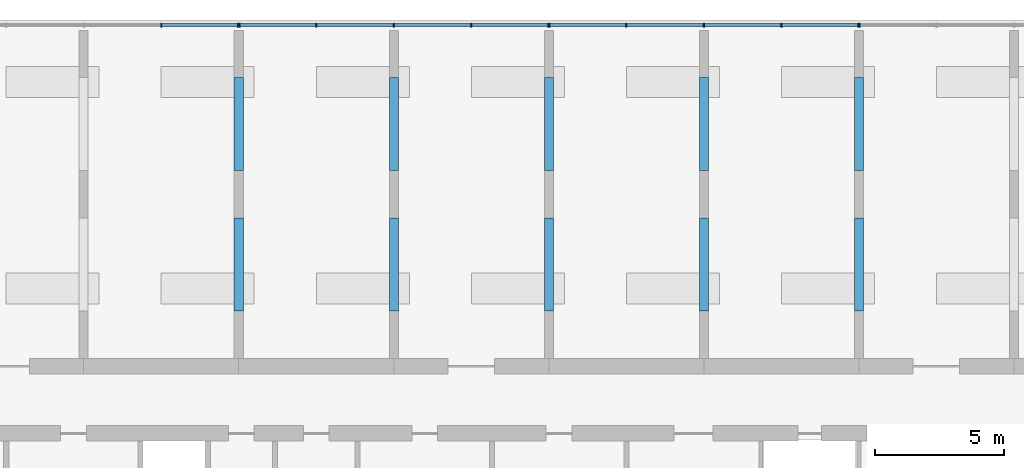
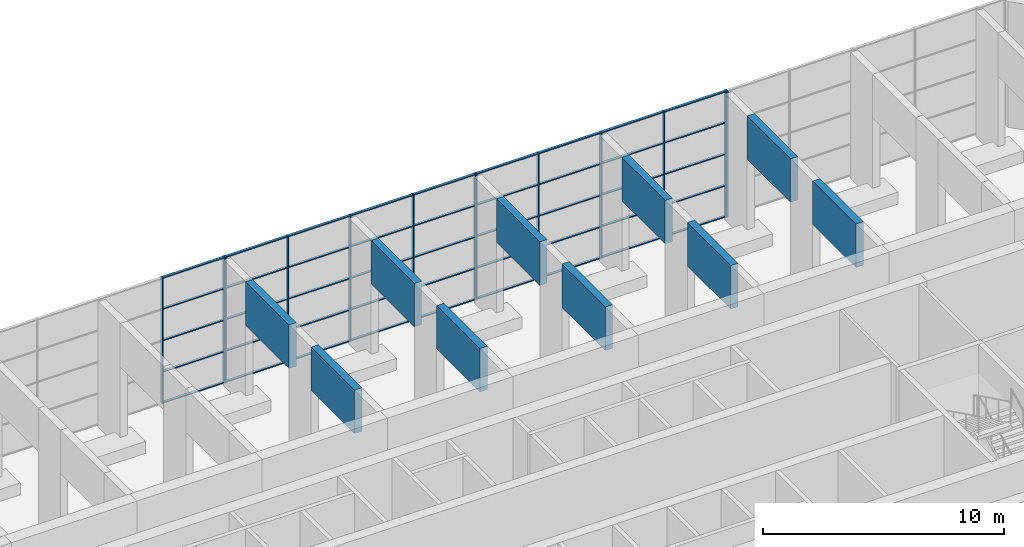
# One storey, part 2 of 16: 58 members, 10 beams, 4 elements without a shape of their own.
"""IFC4 building model written with IfcOpenShell, lengths in metres."""

from ifc_helpers import new_model, si_unit, direction, frame, origin, origin_2d, place, context, subcontext, project, spatial, rectangle, extrude, source, transform, mapped, material, layer, layer_set, material_profile, profile_set, type_object, element, aggregate, save


model = new_model("IFC4")

# Units and contexts
model_context = context("Model", 3, precision=1e-05, world=origin(), true_north=direction((0.0, 1.0)))
body_context = subcontext(model_context, "Body", "Model", "MODEL_VIEW")
ifc_project = project(units=[si_unit("LENGTHUNIT", "METRE"), si_unit("AREAUNIT", "SQUARE_METRE"), si_unit("VOLUMEUNIT", "CUBIC_METRE"), si_unit("PLANEANGLEUNIT", "RADIAN"), si_unit("MASSUNIT", "GRAM", prefix="KILO")], contexts=[model_context])

# Site, building, storey
site_placement = place(None, origin())
site = spatial("IfcSite", under=ifc_project, at=site_placement, CompositionType="ELEMENT")
building_placement = place(site_placement, origin())
building = spatial("IfcBuilding", under=site, at=building_placement, Name="Poui Terraces", CompositionType="ELEMENT")
storey_placement = place(building_placement, frame((0.0, 0.0, 115.800048828125)))
storey = spatial("IfcBuildingStorey", under=building, at=storey_placement, Name="L32", CompositionType="ELEMENT", Elevation=115.800048828125)

# Curtain wall, members
ifc_material_1 = material(Name="Clear glass", Category="glass")
ifc_layer = layer(ifc_material_1, 0.159912109375)
ifc_layer_set = layer_set([ifc_layer], Name="Clear glass")
curtain_wall_type = type_object("IfcCurtainWallType", Name="CURTAIN WALL CW-D SKY GARDEN GLAZING", PredefinedType="NOTDEFINED", material=ifc_layer_set)
curtain_wall_1_placement = place(storey_placement, origin())
curtain_wall_1 = element("IfcCurtainWall", 1, at=curtain_wall_1_placement, inside=storey, type_object=curtain_wall_type, Name="CW-D SKY GARDEN GLAZING", PredefinedType="NOTDEFINED")
ifc_material_2 = material(Name="Aluminium frame", Category="aluminium")
ifc_material_profile_1 = material_profile(ifc_material_2, rectangle(XDim=0.159912109375, YDim=0.050048828125, at=origin_2d()), Name="CW-D MULLION 50X160")
ifc_profile_set_1 = profile_set([ifc_material_profile_1], Name="Aluminium frame")
member_type_1 = type_object("IfcMemberType", Name="CW-D MULLION 50X160", PredefinedType="MULLION", material=ifc_profile_set_1)
member_1_placement = place(storey_placement, frame((47.97509765625, 43.60009765625, 0.0), z_axis=(0.0, 0.0, 1.0), x_axis=(0.0, -1.0, 0.0)))
member_1 = element("IfcMember", 2, at=member_1_placement, type_object=member_type_1, Name="CW-D mullion 1", PredefinedType="MULLION", context=body_context, shape_type="SweptSolid", body=[
    extrude(rectangle(XDim=0.159912109375, YDim=0.050048828125, at=origin_2d()), origin(), (0.0, 0.0, 1.0), 6.369873046875),
])
member_2_placement = place(storey_placement, frame((45.0, 43.60009765625, 0.0), z_axis=(0.0, 0.0, 1.0), x_axis=(0.0, -1.0, 0.0)))
member_2 = element("IfcMember", 3, at=member_2_placement, type_object=member_type_1, Name="CW-D mullion 2", PredefinedType="MULLION", context=body_context, shape_type="SweptSolid", body=[
    extrude(rectangle(XDim=0.159912109375, YDim=0.050048828125, at=origin_2d()), origin(), (0.0, 0.0, 1.0), 6.369873046875),
])

curtain_wall_2_placement = place(storey_placement, origin())
curtain_wall_2 = element("IfcCurtainWall", 4, at=curtain_wall_2_placement, inside=storey, type_object=curtain_wall_type, Name="CW-D SKY GARDEN GLAZING", PredefinedType="NOTDEFINED")
member_3_placement = place(storey_placement, frame((59.97509765625, 43.60009765625, 0.0), z_axis=(0.0, 0.0, 1.0), x_axis=(0.0, -1.0, 0.0)))
member_3 = element("IfcMember", 5, at=member_3_placement, type_object=member_type_1, Name="CW-D mullion 1", PredefinedType="MULLION", context=body_context, shape_type="SweptSolid", body=[
    extrude(rectangle(XDim=0.159912109375, YDim=0.050048828125, at=origin_2d()), origin(), (0.0, 0.0, 1.0), 6.369873046875),
])
member_4_placement = place(storey_placement, frame((57.0, 43.60009765625, 0.0), z_axis=(0.0, 0.0, 1.0), x_axis=(0.0, -1.0, 0.0)))
member_4 = element("IfcMember", 6, at=member_4_placement, type_object=member_type_1, Name="CW-D mullion 2", PredefinedType="MULLION", context=body_context, shape_type="SweptSolid", body=[
    extrude(rectangle(XDim=0.159912109375, YDim=0.050048828125, at=origin_2d()), origin(), (0.0, 0.0, 1.0), 6.369873046875),
])
member_5_placement = place(storey_placement, frame((54.0, 43.60009765625, 0.0), z_axis=(0.0, 0.0, 1.0), x_axis=(0.0, -1.0, 0.0)))
member_5 = element("IfcMember", 7, at=member_5_placement, type_object=member_type_1, Name="CW-D mullion 3", PredefinedType="MULLION", context=body_context, shape_type="SweptSolid", body=[
    extrude(rectangle(XDim=0.159912109375, YDim=0.050048828125, at=origin_2d()), origin(), (0.0, 0.0, 1.0), 6.369873046875),
])
member_6_placement = place(storey_placement, frame((51.0, 43.60009765625, 0.0), z_axis=(0.0, 0.0, 1.0), x_axis=(0.0, -1.0, 0.0)))
member_6 = element("IfcMember", 8, at=member_6_placement, type_object=member_type_1, Name="CW-D mullion 4", PredefinedType="MULLION", context=body_context, shape_type="SweptSolid", body=[
    extrude(rectangle(XDim=0.159912109375, YDim=0.050048828125, at=origin_2d()), origin(), (0.0, 0.0, 1.0), 6.369873046875),
])
member_7_placement = place(storey_placement, frame((48.02490234375, 43.60009765625, 0.0), z_axis=(0.0, 0.0, 1.0), x_axis=(0.0, -1.0, 0.0)))
member_7 = element("IfcMember", 9, at=member_7_placement, type_object=member_type_1, Name="CW-D mullion 5", PredefinedType="MULLION", context=body_context, shape_type="SweptSolid", body=[
    extrude(rectangle(XDim=0.159912109375, YDim=0.050048828125, at=origin_2d()), origin(), (0.0, 0.0, 1.0), 6.369873046875),
])

curtain_wall_3_placement = place(storey_placement, origin())
curtain_wall_3 = element("IfcCurtainWall", 10, at=curtain_wall_3_placement, inside=storey, type_object=curtain_wall_type, Name="CW-D SKY GARDEN GLAZING", PredefinedType="NOTDEFINED")
member_8_placement = place(storey_placement, frame((71.97509765625, 43.60009765625, 0.0), z_axis=(0.0, 0.0, 1.0), x_axis=(0.0, -1.0, 0.0)))
member_8 = element("IfcMember", 11, at=member_8_placement, type_object=member_type_1, Name="CW-D mullion 1", PredefinedType="MULLION", context=body_context, shape_type="SweptSolid", body=[
    extrude(rectangle(XDim=0.159912109375, YDim=0.050048828125, at=origin_2d()), origin(), (0.0, 0.0, 1.0), 6.369873046875),
])
member_9_placement = place(storey_placement, frame((69.0, 43.60009765625, 0.0), z_axis=(0.0, 0.0, 1.0), x_axis=(0.0, -1.0, 0.0)))
member_9 = element("IfcMember", 12, at=member_9_placement, type_object=member_type_1, Name="CW-D mullion 2", PredefinedType="MULLION", context=body_context, shape_type="SweptSolid", body=[
    extrude(rectangle(XDim=0.159912109375, YDim=0.050048828125, at=origin_2d()), origin(), (0.0, 0.0, 1.0), 6.369873046875),
])
member_10_placement = place(storey_placement, frame((66.0, 43.60009765625, 0.0), z_axis=(0.0, 0.0, 1.0), x_axis=(0.0, -1.0, 0.0)))
member_10 = element("IfcMember", 13, at=member_10_placement, type_object=member_type_1, Name="CW-D mullion 3", PredefinedType="MULLION", context=body_context, shape_type="SweptSolid", body=[
    extrude(rectangle(XDim=0.159912109375, YDim=0.050048828125, at=origin_2d()), origin(), (0.0, 0.0, 1.0), 6.369873046875),
])
member_11_placement = place(storey_placement, frame((63.0, 43.60009765625, 0.0), z_axis=(0.0, 0.0, 1.0), x_axis=(0.0, -1.0, 0.0)))
member_11 = element("IfcMember", 14, at=member_11_placement, type_object=member_type_1, Name="CW-D mullion 4", PredefinedType="MULLION", context=body_context, shape_type="SweptSolid", body=[
    extrude(rectangle(XDim=0.159912109375, YDim=0.050048828125, at=origin_2d()), origin(), (0.0, 0.0, 1.0), 6.369873046875),
])
member_12_placement = place(storey_placement, frame((60.02490234375, 43.60009765625, 0.0), z_axis=(0.0, 0.0, 1.0), x_axis=(0.0, -1.0, 0.0)))
member_12 = element("IfcMember", 15, at=member_12_placement, type_object=member_type_1, Name="CW-D mullion 5", PredefinedType="MULLION", context=body_context, shape_type="SweptSolid", body=[
    extrude(rectangle(XDim=0.159912109375, YDim=0.050048828125, at=origin_2d()), origin(), (0.0, 0.0, 1.0), 6.369873046875),
])

# Curtain wall, member
curtain_wall_4_placement = place(storey_placement, origin())
curtain_wall_4 = element("IfcCurtainWall", 16, at=curtain_wall_4_placement, inside=storey, type_object=curtain_wall_type, Name="CW-D SKY GARDEN GLAZING", PredefinedType="NOTDEFINED")
member_13_placement = place(storey_placement, frame((72.02490234375, 43.60009765625, 0.0), z_axis=(0.0, 0.0, 1.0), x_axis=(0.0, -1.0, 0.0)))
member_13 = element("IfcMember", 17, at=member_13_placement, type_object=member_type_1, Name="CW-D mullion 5", PredefinedType="MULLION", context=body_context, shape_type="SweptSolid", body=[
    extrude(rectangle(XDim=0.159912109375, YDim=0.050048828125, at=origin_2d()), origin(), (0.0, 0.0, 1.0), 6.369873046875),
])
aggregate(curtain_wall_4, [member_13])

# Member
ifc_material_profile_2 = material_profile(ifc_material_2, rectangle(XDim=0.1201171875, YDim=0.050048828125, at=origin_2d()), Name="CW-D TRANSOM 50X120")
ifc_profile_set_2 = profile_set([ifc_material_profile_2], Name="Aluminium frame")
member_type_2 = type_object("IfcMemberType", Name="CW-D TRANSOM 50X120", PredefinedType="USERDEFINED", material=ifc_profile_set_2)
member_14_placement = place(storey_placement, frame((47.949951171875, 43.60009765625, 0.02490234375), z_axis=(-1.0, 0.0, 0.0), x_axis=(0.0, -1.0, 0.0)))
member_14 = element("IfcMember", 18, at=member_14_placement, type_object=member_type_2, Name="CW-D transom 1.1", ObjectType="TRANSOM", PredefinedType="USERDEFINED", context=body_context, shape_type="SweptSolid", body=[
    extrude(rectangle(XDim=0.1201171875, YDim=0.050048828125, at=origin_2d()), origin(), (0.0, 0.0, 1.0), 2.925048828125),
])

member_15_placement = place(storey_placement, frame((47.949951171875, 43.60009765625, 1.592529296875), z_axis=(-1.0, 0.0, 0.0), x_axis=(0.0, -1.0, 0.0)))
member_15 = element("IfcMember", 19, at=member_15_placement, type_object=member_type_2, Name="CW-D transom 1.2", ObjectType="TRANSOM", PredefinedType="USERDEFINED", context=body_context, shape_type="SweptSolid", body=[
    extrude(rectangle(XDim=0.1201171875, YDim=0.050048828125, at=origin_2d()), origin(), (0.0, 0.0, 1.0), 2.925048828125),
])

member_16_placement = place(storey_placement, frame((47.949951171875, 43.60009765625, 3.18505859375), z_axis=(-1.0, 0.0, 0.0), x_axis=(0.0, -1.0, 0.0)))
member_16 = element("IfcMember", 20, at=member_16_placement, type_object=member_type_2, Name="CW-D transom 1.3", ObjectType="TRANSOM", PredefinedType="USERDEFINED", context=body_context, shape_type="SweptSolid", body=[
    extrude(rectangle(XDim=0.1201171875, YDim=0.050048828125, at=origin_2d()), origin(), (0.0, 0.0, 1.0), 2.925048828125),
])

member_17_placement = place(storey_placement, frame((47.949951171875, 43.60009765625, 4.77734375), z_axis=(-1.0, 0.0, 0.0), x_axis=(0.0, -1.0, 0.0)))
member_17 = element("IfcMember", 21, at=member_17_placement, type_object=member_type_2, Name="CW-D transom 1.4", ObjectType="TRANSOM", PredefinedType="USERDEFINED", context=body_context, shape_type="SweptSolid", body=[
    extrude(rectangle(XDim=0.1201171875, YDim=0.050048828125, at=origin_2d()), origin(), (0.0, 0.0, 1.0), 2.925048828125),
])

member_18_placement = place(storey_placement, frame((47.949951171875, 43.60009765625, 6.344970703125), z_axis=(-1.0, 0.0, 0.0), x_axis=(0.0, -1.0, 0.0)))
member_18 = element("IfcMember", 22, at=member_18_placement, type_object=member_type_2, Name="CW-D transom 1.5", ObjectType="TRANSOM", PredefinedType="USERDEFINED", context=body_context, shape_type="SweptSolid", body=[
    extrude(rectangle(XDim=0.1201171875, YDim=0.050048828125, at=origin_2d()), origin(), (0.0, 0.0, 1.0), 2.925048828125),
])

aggregate(curtain_wall_1, [member_1, member_2, member_14, member_15, member_16, member_17, member_18])

member_19_placement = place(storey_placement, frame((59.949951171875, 43.60009765625, 0.02490234375), z_axis=(-1.0, 0.0, 0.0), x_axis=(0.0, -1.0, 0.0)))
member_19 = element("IfcMember", 23, at=member_19_placement, type_object=member_type_2, Name="CW-D transom 1.1", ObjectType="TRANSOM", PredefinedType="USERDEFINED", context=body_context, shape_type="SweptSolid", body=[
    extrude(rectangle(XDim=0.1201171875, YDim=0.050048828125, at=origin_2d()), origin(), (0.0, 0.0, 1.0), 2.925048828125),
])

member_20_placement = place(storey_placement, frame((59.949951171875, 43.60009765625, 1.592529296875), z_axis=(-1.0, 0.0, 0.0), x_axis=(0.0, -1.0, 0.0)))
member_20 = element("IfcMember", 24, at=member_20_placement, type_object=member_type_2, Name="CW-D transom 1.2", ObjectType="TRANSOM", PredefinedType="USERDEFINED", context=body_context, shape_type="SweptSolid", body=[
    extrude(rectangle(XDim=0.1201171875, YDim=0.050048828125, at=origin_2d()), origin(), (0.0, 0.0, 1.0), 2.925048828125),
])

member_21_placement = place(storey_placement, frame((59.949951171875, 43.60009765625, 3.18505859375), z_axis=(-1.0, 0.0, 0.0), x_axis=(0.0, -1.0, 0.0)))
member_21 = element("IfcMember", 25, at=member_21_placement, type_object=member_type_2, Name="CW-D transom 1.3", ObjectType="TRANSOM", PredefinedType="USERDEFINED", context=body_context, shape_type="SweptSolid", body=[
    extrude(rectangle(XDim=0.1201171875, YDim=0.050048828125, at=origin_2d()), origin(), (0.0, 0.0, 1.0), 2.925048828125),
])

member_22_placement = place(storey_placement, frame((59.949951171875, 43.60009765625, 4.77734375), z_axis=(-1.0, 0.0, 0.0), x_axis=(0.0, -1.0, 0.0)))
member_22 = element("IfcMember", 26, at=member_22_placement, type_object=member_type_2, Name="CW-D transom 1.4", ObjectType="TRANSOM", PredefinedType="USERDEFINED", context=body_context, shape_type="SweptSolid", body=[
    extrude(rectangle(XDim=0.1201171875, YDim=0.050048828125, at=origin_2d()), origin(), (0.0, 0.0, 1.0), 2.925048828125),
])

member_23_placement = place(storey_placement, frame((59.949951171875, 43.60009765625, 6.344970703125), z_axis=(-1.0, 0.0, 0.0), x_axis=(0.0, -1.0, 0.0)))
member_23 = element("IfcMember", 27, at=member_23_placement, type_object=member_type_2, Name="CW-D transom 1.5", ObjectType="TRANSOM", PredefinedType="USERDEFINED", context=body_context, shape_type="SweptSolid", body=[
    extrude(rectangle(XDim=0.1201171875, YDim=0.050048828125, at=origin_2d()), origin(), (0.0, 0.0, 1.0), 2.925048828125),
])

member_24_placement = place(storey_placement, frame((56.97509765625, 43.60009765625, 0.02490234375), z_axis=(-1.0, 0.0, 0.0), x_axis=(0.0, -1.0, 0.0)))
member_24 = element("IfcMember", 28, at=member_24_placement, type_object=member_type_2, Name="CW-D transom 2.1", ObjectType="TRANSOM", PredefinedType="USERDEFINED", context=body_context, shape_type="SweptSolid", body=[
    extrude(rectangle(XDim=0.1201171875, YDim=0.050048828125, at=origin_2d()), origin(), (0.0, 0.0, 1.0), 2.9501953125),
])

member_25_placement = place(storey_placement, frame((56.97509765625, 43.60009765625, 1.592529296875), z_axis=(-1.0, 0.0, 0.0), x_axis=(0.0, -1.0, 0.0)))
member_25 = element("IfcMember", 29, at=member_25_placement, type_object=member_type_2, Name="CW-D transom 2.2", ObjectType="TRANSOM", PredefinedType="USERDEFINED", context=body_context, shape_type="SweptSolid", body=[
    extrude(rectangle(XDim=0.1201171875, YDim=0.050048828125, at=origin_2d()), origin(), (0.0, 0.0, 1.0), 2.9501953125),
])

member_26_placement = place(storey_placement, frame((56.97509765625, 43.60009765625, 3.18505859375), z_axis=(-1.0, 0.0, 0.0), x_axis=(0.0, -1.0, 0.0)))
member_26 = element("IfcMember", 30, at=member_26_placement, type_object=member_type_2, Name="CW-D transom 2.3", ObjectType="TRANSOM", PredefinedType="USERDEFINED", context=body_context, shape_type="SweptSolid", body=[
    extrude(rectangle(XDim=0.1201171875, YDim=0.050048828125, at=origin_2d()), origin(), (0.0, 0.0, 1.0), 2.9501953125),
])

member_27_placement = place(storey_placement, frame((56.97509765625, 43.60009765625, 4.77734375), z_axis=(-1.0, 0.0, 0.0), x_axis=(0.0, -1.0, 0.0)))
member_27 = element("IfcMember", 31, at=member_27_placement, type_object=member_type_2, Name="CW-D transom 2.4", ObjectType="TRANSOM", PredefinedType="USERDEFINED", context=body_context, shape_type="SweptSolid", body=[
    extrude(rectangle(XDim=0.1201171875, YDim=0.050048828125, at=origin_2d()), origin(), (0.0, 0.0, 1.0), 2.9501953125),
])

member_28_placement = place(storey_placement, frame((56.97509765625, 43.60009765625, 6.344970703125), z_axis=(-1.0, 0.0, 0.0), x_axis=(0.0, -1.0, 0.0)))
member_28 = element("IfcMember", 32, at=member_28_placement, type_object=member_type_2, Name="CW-D transom 2.5", ObjectType="TRANSOM", PredefinedType="USERDEFINED", context=body_context, shape_type="SweptSolid", body=[
    extrude(rectangle(XDim=0.1201171875, YDim=0.050048828125, at=origin_2d()), origin(), (0.0, 0.0, 1.0), 2.9501953125),
])

member_29_placement = place(storey_placement, frame((53.97509765625, 43.60009765625, 0.02490234375), z_axis=(-1.0, 0.0, 0.0), x_axis=(0.0, -1.0, 0.0)))
member_29 = element("IfcMember", 33, at=member_29_placement, type_object=member_type_2, Name="CW-D transom 3.1", ObjectType="TRANSOM", PredefinedType="USERDEFINED", context=body_context, shape_type="SweptSolid", body=[
    extrude(rectangle(XDim=0.1201171875, YDim=0.050048828125, at=origin_2d()), origin(), (0.0, 0.0, 1.0), 2.9501953125),
])

member_30_placement = place(storey_placement, frame((53.97509765625, 43.60009765625, 1.592529296875), z_axis=(-1.0, 0.0, 0.0), x_axis=(0.0, -1.0, 0.0)))
member_30 = element("IfcMember", 34, at=member_30_placement, type_object=member_type_2, Name="CW-D transom 3.2", ObjectType="TRANSOM", PredefinedType="USERDEFINED", context=body_context, shape_type="SweptSolid", body=[
    extrude(rectangle(XDim=0.1201171875, YDim=0.050048828125, at=origin_2d()), origin(), (0.0, 0.0, 1.0), 2.9501953125),
])

member_31_placement = place(storey_placement, frame((53.97509765625, 43.60009765625, 3.18505859375), z_axis=(-1.0, 0.0, 0.0), x_axis=(0.0, -1.0, 0.0)))
member_31 = element("IfcMember", 35, at=member_31_placement, type_object=member_type_2, Name="CW-D transom 3.3", ObjectType="TRANSOM", PredefinedType="USERDEFINED", context=body_context, shape_type="SweptSolid", body=[
    extrude(rectangle(XDim=0.1201171875, YDim=0.050048828125, at=origin_2d()), origin(), (0.0, 0.0, 1.0), 2.9501953125),
])

member_32_placement = place(storey_placement, frame((53.97509765625, 43.60009765625, 4.77734375), z_axis=(-1.0, 0.0, 0.0), x_axis=(0.0, -1.0, 0.0)))
member_32 = element("IfcMember", 36, at=member_32_placement, type_object=member_type_2, Name="CW-D transom 3.4", ObjectType="TRANSOM", PredefinedType="USERDEFINED", context=body_context, shape_type="SweptSolid", body=[
    extrude(rectangle(XDim=0.1201171875, YDim=0.050048828125, at=origin_2d()), origin(), (0.0, 0.0, 1.0), 2.9501953125),
])

member_33_placement = place(storey_placement, frame((53.97509765625, 43.60009765625, 6.344970703125), z_axis=(-1.0, 0.0, 0.0), x_axis=(0.0, -1.0, 0.0)))
member_33 = element("IfcMember", 37, at=member_33_placement, type_object=member_type_2, Name="CW-D transom 3.5", ObjectType="TRANSOM", PredefinedType="USERDEFINED", context=body_context, shape_type="SweptSolid", body=[
    extrude(rectangle(XDim=0.1201171875, YDim=0.050048828125, at=origin_2d()), origin(), (0.0, 0.0, 1.0), 2.9501953125),
])

member_34_placement = place(storey_placement, frame((50.97509765625, 43.60009765625, 0.02490234375), z_axis=(-1.0, 0.0, 0.0), x_axis=(0.0, -1.0, 0.0)))
member_34 = element("IfcMember", 38, at=member_34_placement, type_object=member_type_2, Name="CW-D transom 4.1", ObjectType="TRANSOM", PredefinedType="USERDEFINED", context=body_context, shape_type="SweptSolid", body=[
    extrude(rectangle(XDim=0.1201171875, YDim=0.050048828125, at=origin_2d()), origin(), (0.0, 0.0, 1.0), 2.925048828125),
])

member_35_placement = place(storey_placement, frame((50.97509765625, 43.60009765625, 1.592529296875), z_axis=(-1.0, 0.0, 0.0), x_axis=(0.0, -1.0, 0.0)))
member_35 = element("IfcMember", 39, at=member_35_placement, type_object=member_type_2, Name="CW-D transom 4.2", ObjectType="TRANSOM", PredefinedType="USERDEFINED", context=body_context, shape_type="SweptSolid", body=[
    extrude(rectangle(XDim=0.1201171875, YDim=0.050048828125, at=origin_2d()), origin(), (0.0, 0.0, 1.0), 2.925048828125),
])

member_36_placement = place(storey_placement, frame((50.97509765625, 43.60009765625, 3.18505859375), z_axis=(-1.0, 0.0, 0.0), x_axis=(0.0, -1.0, 0.0)))
member_36 = element("IfcMember", 40, at=member_36_placement, type_object=member_type_2, Name="CW-D transom 4.3", ObjectType="TRANSOM", PredefinedType="USERDEFINED", context=body_context, shape_type="SweptSolid", body=[
    extrude(rectangle(XDim=0.1201171875, YDim=0.050048828125, at=origin_2d()), origin(), (0.0, 0.0, 1.0), 2.925048828125),
])

member_37_placement = place(storey_placement, frame((50.97509765625, 43.60009765625, 4.77734375), z_axis=(-1.0, 0.0, 0.0), x_axis=(0.0, -1.0, 0.0)))
member_37 = element("IfcMember", 41, at=member_37_placement, type_object=member_type_2, Name="CW-D transom 4.4", ObjectType="TRANSOM", PredefinedType="USERDEFINED", context=body_context, shape_type="SweptSolid", body=[
    extrude(rectangle(XDim=0.1201171875, YDim=0.050048828125, at=origin_2d()), origin(), (0.0, 0.0, 1.0), 2.925048828125),
])

member_38_placement = place(storey_placement, frame((50.97509765625, 43.60009765625, 6.344970703125), z_axis=(-1.0, 0.0, 0.0), x_axis=(0.0, -1.0, 0.0)))
member_38 = element("IfcMember", 42, at=member_38_placement, type_object=member_type_2, Name="CW-D transom 4.5", ObjectType="TRANSOM", PredefinedType="USERDEFINED", context=body_context, shape_type="SweptSolid", body=[
    extrude(rectangle(XDim=0.1201171875, YDim=0.050048828125, at=origin_2d()), origin(), (0.0, 0.0, 1.0), 2.925048828125),
])

aggregate(curtain_wall_2, [member_3, member_4, member_5, member_6, member_7, member_19, member_20, member_21, member_22, member_23, member_24, member_25, member_26, member_27, member_28, member_29, member_30, member_31, member_32, member_33, member_34, member_35, member_36, member_37, member_38])

member_39_placement = place(storey_placement, frame((71.949951171875, 43.60009765625, 0.02490234375), z_axis=(-1.0, 0.0, 0.0), x_axis=(0.0, -1.0, 0.0)))
member_39 = element("IfcMember", 43, at=member_39_placement, type_object=member_type_2, Name="CW-D transom 1.1", ObjectType="TRANSOM", PredefinedType="USERDEFINED", context=body_context, shape_type="SweptSolid", body=[
    extrude(rectangle(XDim=0.1201171875, YDim=0.050048828125, at=origin_2d()), origin(), (0.0, 0.0, 1.0), 2.925048828125),
])

member_40_placement = place(storey_placement, frame((71.949951171875, 43.60009765625, 1.592529296875), z_axis=(-1.0, 0.0, 0.0), x_axis=(0.0, -1.0, 0.0)))
member_40 = element("IfcMember", 44, at=member_40_placement, type_object=member_type_2, Name="CW-D transom 1.2", ObjectType="TRANSOM", PredefinedType="USERDEFINED", context=body_context, shape_type="SweptSolid", body=[
    extrude(rectangle(XDim=0.1201171875, YDim=0.050048828125, at=origin_2d()), origin(), (0.0, 0.0, 1.0), 2.925048828125),
])

member_41_placement = place(storey_placement, frame((71.949951171875, 43.60009765625, 3.18505859375), z_axis=(-1.0, 0.0, 0.0), x_axis=(0.0, -1.0, 0.0)))
member_41 = element("IfcMember", 45, at=member_41_placement, type_object=member_type_2, Name="CW-D transom 1.3", ObjectType="TRANSOM", PredefinedType="USERDEFINED", context=body_context, shape_type="SweptSolid", body=[
    extrude(rectangle(XDim=0.1201171875, YDim=0.050048828125, at=origin_2d()), origin(), (0.0, 0.0, 1.0), 2.925048828125),
])

member_42_placement = place(storey_placement, frame((71.949951171875, 43.60009765625, 4.77734375), z_axis=(-1.0, 0.0, 0.0), x_axis=(0.0, -1.0, 0.0)))
member_42 = element("IfcMember", 46, at=member_42_placement, type_object=member_type_2, Name="CW-D transom 1.4", ObjectType="TRANSOM", PredefinedType="USERDEFINED", context=body_context, shape_type="SweptSolid", body=[
    extrude(rectangle(XDim=0.1201171875, YDim=0.050048828125, at=origin_2d()), origin(), (0.0, 0.0, 1.0), 2.925048828125),
])

member_43_placement = place(storey_placement, frame((71.949951171875, 43.60009765625, 6.344970703125), z_axis=(-1.0, 0.0, 0.0), x_axis=(0.0, -1.0, 0.0)))
member_43 = element("IfcMember", 47, at=member_43_placement, type_object=member_type_2, Name="CW-D transom 1.5", ObjectType="TRANSOM", PredefinedType="USERDEFINED", context=body_context, shape_type="SweptSolid", body=[
    extrude(rectangle(XDim=0.1201171875, YDim=0.050048828125, at=origin_2d()), origin(), (0.0, 0.0, 1.0), 2.925048828125),
])

member_44_placement = place(storey_placement, frame((68.97509765625, 43.60009765625, 0.02490234375), z_axis=(-1.0, 0.0, 0.0), x_axis=(0.0, -1.0, 0.0)))
member_44 = element("IfcMember", 48, at=member_44_placement, type_object=member_type_2, Name="CW-D transom 2.1", ObjectType="TRANSOM", PredefinedType="USERDEFINED", context=body_context, shape_type="SweptSolid", body=[
    extrude(rectangle(XDim=0.1201171875, YDim=0.050048828125, at=origin_2d()), origin(), (0.0, 0.0, 1.0), 2.9501953125),
])

member_45_placement = place(storey_placement, frame((68.97509765625, 43.60009765625, 1.592529296875), z_axis=(-1.0, 0.0, 0.0), x_axis=(0.0, -1.0, 0.0)))
member_45 = element("IfcMember", 49, at=member_45_placement, type_object=member_type_2, Name="CW-D transom 2.2", ObjectType="TRANSOM", PredefinedType="USERDEFINED", context=body_context, shape_type="SweptSolid", body=[
    extrude(rectangle(XDim=0.1201171875, YDim=0.050048828125, at=origin_2d()), origin(), (0.0, 0.0, 1.0), 2.9501953125),
])

member_46_placement = place(storey_placement, frame((68.97509765625, 43.60009765625, 3.18505859375), z_axis=(-1.0, 0.0, 0.0), x_axis=(0.0, -1.0, 0.0)))
member_46 = element("IfcMember", 50, at=member_46_placement, type_object=member_type_2, Name="CW-D transom 2.3", ObjectType="TRANSOM", PredefinedType="USERDEFINED", context=body_context, shape_type="SweptSolid", body=[
    extrude(rectangle(XDim=0.1201171875, YDim=0.050048828125, at=origin_2d()), origin(), (0.0, 0.0, 1.0), 2.9501953125),
])

member_47_placement = place(storey_placement, frame((68.97509765625, 43.60009765625, 4.77734375), z_axis=(-1.0, 0.0, 0.0), x_axis=(0.0, -1.0, 0.0)))
member_47 = element("IfcMember", 51, at=member_47_placement, type_object=member_type_2, Name="CW-D transom 2.4", ObjectType="TRANSOM", PredefinedType="USERDEFINED", context=body_context, shape_type="SweptSolid", body=[
    extrude(rectangle(XDim=0.1201171875, YDim=0.050048828125, at=origin_2d()), origin(), (0.0, 0.0, 1.0), 2.9501953125),
])

member_48_placement = place(storey_placement, frame((68.97509765625, 43.60009765625, 6.344970703125), z_axis=(-1.0, 0.0, 0.0), x_axis=(0.0, -1.0, 0.0)))
member_48 = element("IfcMember", 52, at=member_48_placement, type_object=member_type_2, Name="CW-D transom 2.5", ObjectType="TRANSOM", PredefinedType="USERDEFINED", context=body_context, shape_type="SweptSolid", body=[
    extrude(rectangle(XDim=0.1201171875, YDim=0.050048828125, at=origin_2d()), origin(), (0.0, 0.0, 1.0), 2.9501953125),
])

member_49_placement = place(storey_placement, frame((65.97509765625, 43.60009765625, 0.02490234375), z_axis=(-1.0, 0.0, 0.0), x_axis=(0.0, -1.0, 0.0)))
member_49 = element("IfcMember", 53, at=member_49_placement, type_object=member_type_2, Name="CW-D transom 3.1", ObjectType="TRANSOM", PredefinedType="USERDEFINED", context=body_context, shape_type="SweptSolid", body=[
    extrude(rectangle(XDim=0.1201171875, YDim=0.050048828125, at=origin_2d()), origin(), (0.0, 0.0, 1.0), 2.9501953125),
])

member_50_placement = place(storey_placement, frame((65.97509765625, 43.60009765625, 1.592529296875), z_axis=(-1.0, 0.0, 0.0), x_axis=(0.0, -1.0, 0.0)))
member_50 = element("IfcMember", 54, at=member_50_placement, type_object=member_type_2, Name="CW-D transom 3.2", ObjectType="TRANSOM", PredefinedType="USERDEFINED", context=body_context, shape_type="SweptSolid", body=[
    extrude(rectangle(XDim=0.1201171875, YDim=0.050048828125, at=origin_2d()), origin(), (0.0, 0.0, 1.0), 2.9501953125),
])

member_51_placement = place(storey_placement, frame((65.97509765625, 43.60009765625, 3.18505859375), z_axis=(-1.0, 0.0, 0.0), x_axis=(0.0, -1.0, 0.0)))
member_51 = element("IfcMember", 55, at=member_51_placement, type_object=member_type_2, Name="CW-D transom 3.3", ObjectType="TRANSOM", PredefinedType="USERDEFINED", context=body_context, shape_type="SweptSolid", body=[
    extrude(rectangle(XDim=0.1201171875, YDim=0.050048828125, at=origin_2d()), origin(), (0.0, 0.0, 1.0), 2.9501953125),
])

member_52_placement = place(storey_placement, frame((65.97509765625, 43.60009765625, 4.77734375), z_axis=(-1.0, 0.0, 0.0), x_axis=(0.0, -1.0, 0.0)))
member_52 = element("IfcMember", 56, at=member_52_placement, type_object=member_type_2, Name="CW-D transom 3.4", ObjectType="TRANSOM", PredefinedType="USERDEFINED", context=body_context, shape_type="SweptSolid", body=[
    extrude(rectangle(XDim=0.1201171875, YDim=0.050048828125, at=origin_2d()), origin(), (0.0, 0.0, 1.0), 2.9501953125),
])

member_53_placement = place(storey_placement, frame((65.97509765625, 43.60009765625, 6.344970703125), z_axis=(-1.0, 0.0, 0.0), x_axis=(0.0, -1.0, 0.0)))
member_53 = element("IfcMember", 57, at=member_53_placement, type_object=member_type_2, Name="CW-D transom 3.5", ObjectType="TRANSOM", PredefinedType="USERDEFINED", context=body_context, shape_type="SweptSolid", body=[
    extrude(rectangle(XDim=0.1201171875, YDim=0.050048828125, at=origin_2d()), origin(), (0.0, 0.0, 1.0), 2.9501953125),
])

member_54_placement = place(storey_placement, frame((62.97509765625, 43.60009765625, 0.02490234375), z_axis=(-1.0, 0.0, 0.0), x_axis=(0.0, -1.0, 0.0)))
member_54 = element("IfcMember", 58, at=member_54_placement, type_object=member_type_2, Name="CW-D transom 4.1", ObjectType="TRANSOM", PredefinedType="USERDEFINED", context=body_context, shape_type="SweptSolid", body=[
    extrude(rectangle(XDim=0.1201171875, YDim=0.050048828125, at=origin_2d()), origin(), (0.0, 0.0, 1.0), 2.925048828125),
])

member_55_placement = place(storey_placement, frame((62.97509765625, 43.60009765625, 1.592529296875), z_axis=(-1.0, 0.0, 0.0), x_axis=(0.0, -1.0, 0.0)))
member_55 = element("IfcMember", 59, at=member_55_placement, type_object=member_type_2, Name="CW-D transom 4.2", ObjectType="TRANSOM", PredefinedType="USERDEFINED", context=body_context, shape_type="SweptSolid", body=[
    extrude(rectangle(XDim=0.1201171875, YDim=0.050048828125, at=origin_2d()), origin(), (0.0, 0.0, 1.0), 2.925048828125),
])

member_56_placement = place(storey_placement, frame((62.97509765625, 43.60009765625, 3.18505859375), z_axis=(-1.0, 0.0, 0.0), x_axis=(0.0, -1.0, 0.0)))
member_56 = element("IfcMember", 60, at=member_56_placement, type_object=member_type_2, Name="CW-D transom 4.3", ObjectType="TRANSOM", PredefinedType="USERDEFINED", context=body_context, shape_type="SweptSolid", body=[
    extrude(rectangle(XDim=0.1201171875, YDim=0.050048828125, at=origin_2d()), origin(), (0.0, 0.0, 1.0), 2.925048828125),
])

member_57_placement = place(storey_placement, frame((62.97509765625, 43.60009765625, 4.77734375), z_axis=(-1.0, 0.0, 0.0), x_axis=(0.0, -1.0, 0.0)))
member_57 = element("IfcMember", 61, at=member_57_placement, type_object=member_type_2, Name="CW-D transom 4.4", ObjectType="TRANSOM", PredefinedType="USERDEFINED", context=body_context, shape_type="SweptSolid", body=[
    extrude(rectangle(XDim=0.1201171875, YDim=0.050048828125, at=origin_2d()), origin(), (0.0, 0.0, 1.0), 2.925048828125),
])

member_58_placement = place(storey_placement, frame((62.97509765625, 43.60009765625, 6.344970703125), z_axis=(-1.0, 0.0, 0.0), x_axis=(0.0, -1.0, 0.0)))
member_58 = element("IfcMember", 62, at=member_58_placement, type_object=member_type_2, Name="CW-D transom 4.5", ObjectType="TRANSOM", PredefinedType="USERDEFINED", context=body_context, shape_type="SweptSolid", body=[
    extrude(rectangle(XDim=0.1201171875, YDim=0.050048828125, at=origin_2d()), origin(), (0.0, 0.0, 1.0), 2.925048828125),
])

aggregate(curtain_wall_3, [member_8, member_9, member_10, member_11, member_12, member_39, member_40, member_41, member_42, member_43, member_44, member_45, member_46, member_47, member_48, member_49, member_50, member_51, member_52, member_53, member_54, member_55, member_56, member_57, member_58])

# Beams
ifc_material_3 = material(Name="Concrete 65 MPa", Category="concrete")
ifc_material_profile_3 = material_profile(ifc_material_3, rectangle(XDim=0.35009765625, YDim=2.199951171875, at=origin_2d()), Name="RC 350x2200")
ifc_profile_set_3 = profile_set([ifc_material_profile_3], Name="Concrete 65 MPa")
beam_type = type_object("IfcBeamType", Name="DEEP BEAM 350x2200 65MPa", PredefinedType="BEAM", material=ifc_profile_set_3)
shared_shape_1 = source(origin(), body_context, "Body", "SweptSolid", [
    extrude(rectangle(XDim=0.35009765625, YDim=2.199951171875, at=origin_2d()), origin(), (0.0, 0.0, 1.0), 3.60009765625),
])
for number, where, z_axis, x_axis, name in (
    (63, (48.0, 32.533203125, 5.27001953125), (0.0, 1.0, 0.0), (-1.0, 0.0, 0.0), "DEEP BEAM LINE 9 1"),
    (64, (54.0, 32.533203125, 5.27001953125), (0.0, 1.0, 0.0), (-1.0, 0.0, 0.0), "DEEP BEAM LINE 10 1"),
    (65, (60.0, 32.533203125, 5.27001953125), (0.0, 1.0, 0.0), (-1.0, 0.0, 0.0), "DEEP BEAM LINE 11 1"),
    (66, (66.0, 32.533203125, 5.27001953125), (0.0, 1.0, 0.0), (-1.0, 0.0, 0.0), "DEEP BEAM LINE 12 1"),
    (67, (72.0, 32.533203125, 5.27001953125), (0.0, 1.0, 0.0), (-1.0, 0.0, 0.0), "DEEP BEAM LINE 13 1"),
):
    element("IfcBeam", number, at=place(storey_placement, frame(where, z_axis=z_axis, x_axis=x_axis)), inside=storey, type_object=beam_type, Name=name, PredefinedType="BEAM", context=body_context, shape_type="MappedRepresentation", body=[
        mapped(shared_shape_1, transform((0.0, 0.0, 0.0))),
    ])
shared_shape_2 = source(origin(), body_context, "Body", "SweptSolid", [
    extrude(rectangle(XDim=0.35009765625, YDim=2.199951171875, at=origin_2d()), origin(), (0.0, 0.0, 1.0), 3.599853515625),
])
for number, where, z_axis, x_axis, name in (
    (68, (48.0, 37.966796875, 5.27001953125), (0.0, 1.0, 0.0), (-1.0, 0.0, 0.0), "DEEP BEAM LINE 9 2"),
    (69, (54.0, 37.966796875, 5.27001953125), (0.0, 1.0, 0.0), (-1.0, 0.0, 0.0), "DEEP BEAM LINE 10 2"),
    (70, (60.0, 37.966796875, 5.27001953125), (0.0, 1.0, 0.0), (-1.0, 0.0, 0.0), "DEEP BEAM LINE 11 2"),
    (71, (66.0, 37.966796875, 5.27001953125), (0.0, 1.0, 0.0), (-1.0, 0.0, 0.0), "DEEP BEAM LINE 12 2"),
    (72, (72.0, 37.966796875, 5.27001953125), (0.0, 1.0, 0.0), (-1.0, 0.0, 0.0), "DEEP BEAM LINE 13 2"),
):
    element("IfcBeam", number, at=place(storey_placement, frame(where, z_axis=z_axis, x_axis=x_axis)), inside=storey, type_object=beam_type, Name=name, PredefinedType="BEAM", context=body_context, shape_type="MappedRepresentation", body=[
        mapped(shared_shape_2, transform((0.0, 0.0, 0.0))),
    ])

save(model, "model.ifc")
